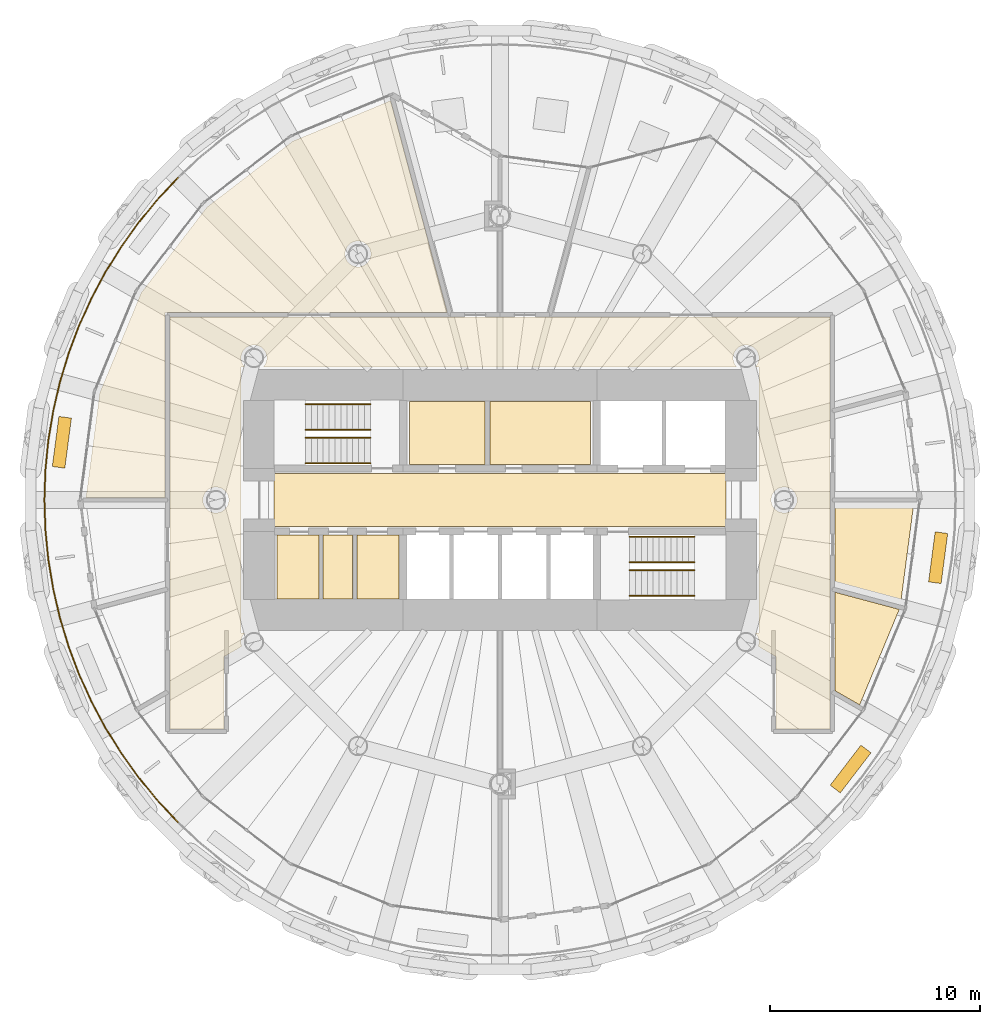
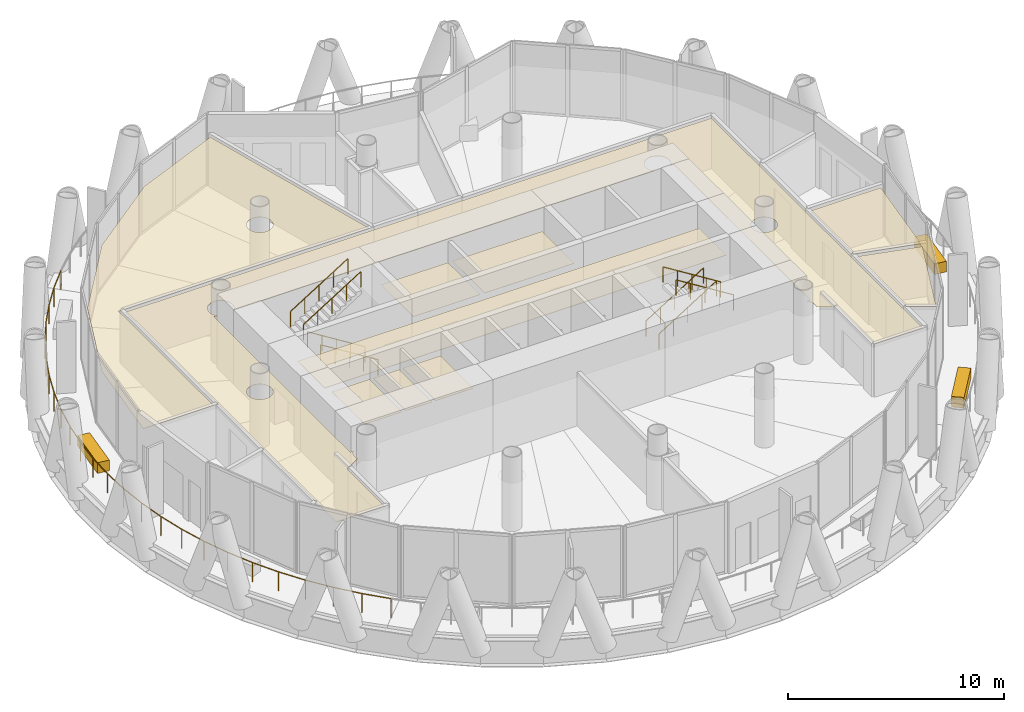
# One storey, part 13 of 14: 13 coverings, 9 railings.
"""IFC4 building model written with IfcOpenShell, lengths in metres."""

from ifc_helpers import new_model, si_unit, direction, frame, origin, origin_2d, place, context, subcontext, project, spatial, polyline, rectangle, circle, outline, extrude, material, layer, layer_set, type_object, element, save


model = new_model("IFC4")

# Units and contexts
model_context = context("Model", 3, precision=1e-05, world=origin(), true_north=direction((0.0, 1.0)))
body_context = subcontext(model_context, "Body", "Model", "MODEL_VIEW")
ifc_project = project(units=[si_unit("LENGTHUNIT", "METRE"), si_unit("AREAUNIT", "SQUARE_METRE"), si_unit("VOLUMEUNIT", "CUBIC_METRE"), si_unit("PLANEANGLEUNIT", "RADIAN"), si_unit("MASSUNIT", "GRAM", prefix="KILO")], contexts=[model_context])

# Site, building, storey
site_placement = place(None, origin())
site = spatial("IfcSite", under=ifc_project, at=site_placement, CompositionType="ELEMENT")
building_placement = place(site_placement, origin())
building = spatial("IfcBuilding", under=site, at=building_placement, Name="Qaws Media Tower", CompositionType="ELEMENT")
storey_placement = place(building_placement, frame((0.0, 0.0, 248.60009765625)))
storey = spatial("IfcBuildingStorey", under=building, at=storey_placement, Name="L57", CompositionType="ELEMENT", Elevation=248.60009765625)

# Railing
ifc_material_1 = material(Name="Stainless steel and glass guard", Category="steel")
railing_type_1 = type_object("IfcRailingType", Name="Balcony guard 1100", PredefinedType="GUARDRAIL", material=ifc_material_1)
railing_placement = place(storey_placement, frame((44.691162109375, 65.308837890625, 0.0)))
element("IfcRailing", 1, at=railing_placement, inside=storey, type_object=railing_type_1, Name="GR1 balcony guard L57-2", PredefinedType="GUARDRAIL", context=body_context, shape_type="SweptSolid", body=[
    extrude(circle(Radius=0.02392578125, at=origin_2d()), frame((0.0, 0.0, 1.076171875), z_axis=(-0.683637251017, -0.729821970773, 0.0), x_axis=(0.729821970773, -0.683637251017, 0.0)), (0.0, 0.0, 1.0), 1.416748046875),
    extrude(circle(Radius=0.02392578125, at=origin_2d()), frame((-0.968505859375, -1.033935546875, 1.076171875), z_axis=(-0.634335096851, -0.773058202791, 0.0), x_axis=(0.773058202791, -0.634335096851, 0.0)), (0.0, 0.0, 1.0), 1.416748046875),
    extrude(circle(Radius=0.02392578125, at=origin_2d()), frame((-1.8671875, -2.129150390625, 1.076171875), z_axis=(-0.582460117111, -0.812859281779, 0.0), x_axis=(0.812859281779, -0.582460117111, 0.0)), (0.0, 0.0, 1.0), 1.416748046875),
    extrude(circle(Radius=0.02392578125, at=origin_2d()), frame((-2.6923828125, -3.28076171875, 1.076171875), z_axis=(-0.528139011026, -0.849157927027, 0.0), x_axis=(0.849157927027, -0.528139011026, 0.0)), (0.0, 0.0, 1.0), 1.416748046875),
    extrude(circle(Radius=0.02392578125, at=origin_2d()), frame((-3.440673828125, -4.48388671875, 1.076171875), z_axis=(-0.471312562869, -0.881966251101, 0.0), x_axis=(0.881966251101, -0.471312562869, 0.0)), (0.0, 0.0, 1.0), 1.416748046875),
    extrude(circle(Radius=0.02392578125, at=origin_2d()), frame((-4.1083984375, -5.7333984375, 1.076171875), z_axis=(-0.412763889134, -0.910838060155, 0.0), x_axis=(0.910838060155, -0.412763889134, 0.0)), (0.0, 0.0, 1.0), 1.41650390625),
    extrude(circle(Radius=0.02392578125, at=origin_2d()), frame((-4.693115234375, -7.023681640625, 1.076171875), z_axis=(-0.352237420133, -0.935910679423, 0.0), x_axis=(0.935910679423, -0.352237420133, 0.0)), (0.0, 0.0, 1.0), 1.416748046875),
    extrude(circle(Radius=0.02392578125, at=origin_2d()), frame((-5.192138671875, -8.349609375, 1.076171875), z_axis=(-0.290366081479, -0.95691563825, 0.0), x_axis=(0.95691563825, -0.290366081479, 0.0)), (0.0, 0.0, 1.0), 1.416748046875),
    extrude(circle(Radius=0.02392578125, at=origin_2d()), frame((-5.603515625, -9.705322265625, 1.076171875), z_axis=(-0.22693545759, -0.97390979977, 0.0), x_axis=(0.97390979977, -0.22693545759, 0.0)), (0.0, 0.0, 1.0), 1.416748046875),
    extrude(circle(Radius=0.02392578125, at=origin_2d()), frame((-5.925048828125, -11.085205078125, 1.076171875), z_axis=(-0.163029459674, -0.986621201515, 0.0), x_axis=(0.986621201515, -0.163029459674, 0.0)), (0.0, 0.0, 1.0), 1.416748046875),
    extrude(circle(Radius=0.02392578125, at=origin_2d()), frame((-6.156005859375, -12.48291015625, 1.076171875), z_axis=(-0.098053347187, -0.995181159943, 0.0), x_axis=(0.995181159943, -0.098053347187, 0.0)), (0.0, 0.0, 1.0), 1.416748046875),
    extrude(circle(Radius=0.02392578125, at=origin_2d()), frame((-6.294921875, -13.892822265625, 1.076171875), z_axis=(-0.032568919654, -0.999469492017, 0.0), x_axis=(0.999469492017, -0.032568919654, 0.0)), (0.0, 0.0, 1.0), 1.416748046875),
    extrude(circle(Radius=0.02392578125, at=origin_2d()), frame((-6.341064453125, -15.308837890625, 1.076171875), z_axis=(0.032568919654, -0.999469492017, 0.0), x_axis=(0.999469492017, 0.032568919654, 0.0)), (0.0, 0.0, 1.0), 1.416748046875),
    extrude(circle(Radius=0.02392578125, at=origin_2d()), frame((-6.294921875, -16.724853515625, 1.076171875), z_axis=(0.098053347187, -0.995181159943, 0.0), x_axis=(0.995181159943, 0.098053347187, 0.0)), (0.0, 0.0, 1.0), 1.416748046875),
    extrude(circle(Radius=0.02392578125, at=origin_2d()), frame((-6.156005859375, -18.134765625, 1.076171875), z_axis=(0.163029459674, -0.986621201515, 0.0), x_axis=(0.986621201515, 0.163029459674, 0.0)), (0.0, 0.0, 1.0), 1.416748046875),
    extrude(circle(Radius=0.02392578125, at=origin_2d()), frame((-5.925048828125, -19.532470703125, 1.076171875), z_axis=(0.22693545759, -0.97390979977, 0.0), x_axis=(0.97390979977, 0.22693545759, 0.0)), (0.0, 0.0, 1.0), 1.416748046875),
    extrude(circle(Radius=0.02392578125, at=origin_2d()), frame((-5.603515625, -20.912353515625, 1.076171875), z_axis=(0.290366081479, -0.95691563825, 0.0), x_axis=(0.95691563825, 0.290366081479, 0.0)), (0.0, 0.0, 1.0), 1.416748046875),
    extrude(circle(Radius=0.02392578125, at=origin_2d()), frame((-5.192138671875, -22.26806640625, 1.076171875), z_axis=(0.352237420133, -0.935910679423, 0.0), x_axis=(0.935910679423, 0.352237420133, 0.0)), (0.0, 0.0, 1.0), 1.416748046875),
    extrude(circle(Radius=0.02392578125, at=origin_2d()), frame((-4.693115234375, -23.593994140625, 1.076171875), z_axis=(0.412763889134, -0.910838060155, 0.0), x_axis=(0.910838060155, 0.412763889134, 0.0)), (0.0, 0.0, 1.0), 1.41650390625),
    extrude(circle(Radius=0.02392578125, at=origin_2d()), frame((-4.1083984375, -24.88427734375, 1.076171875), z_axis=(0.471312562869, -0.881966251101, 0.0), x_axis=(0.881966251101, 0.471312562869, 0.0)), (0.0, 0.0, 1.0), 1.416748046875),
    extrude(circle(Radius=0.02392578125, at=origin_2d()), frame((-3.440673828125, -26.1337890625, 1.076171875), z_axis=(0.528139011026, -0.849157927027, 0.0), x_axis=(0.849157927027, 0.528139011026, 0.0)), (0.0, 0.0, 1.0), 1.416748046875),
    extrude(circle(Radius=0.02392578125, at=origin_2d()), frame((-2.6923828125, -27.3369140625, 1.076171875), z_axis=(0.582460117111, -0.812859281779, 0.0), x_axis=(0.812859281779, 0.582460117111, 0.0)), (0.0, 0.0, 1.0), 1.416748046875),
    extrude(circle(Radius=0.02392578125, at=origin_2d()), frame((-1.8671875, -28.488525390625, 1.076171875), z_axis=(0.634335096851, -0.773058202791, 0.0), x_axis=(0.773058202791, 0.634335096851, 0.0)), (0.0, 0.0, 1.0), 1.416748046875),
    extrude(circle(Radius=0.02392578125, at=origin_2d()), frame((-0.968505859375, -29.583740234375, 1.076171875), z_axis=(0.683637251017, -0.729821970773, 0.0), x_axis=(0.729821970773, 0.683637251017, 0.0)), (0.0, 0.0, 1.0), 1.416748046875),
    extrude(circle(Radius=0.02099609375, at=origin_2d()), origin(), (0.0, 0.0, 1.0), 1.052001953125),
    extrude(circle(Radius=0.02099609375, at=origin_2d()), frame((-0.968505859375, -1.033935546875, 0.0)), (0.0, 0.0, 1.0), 1.052001953125),
    extrude(circle(Radius=0.02099609375, at=origin_2d()), frame((-1.8671875, -2.129150390625, 0.0)), (0.0, 0.0, 1.0), 1.052001953125),
    extrude(circle(Radius=0.02099609375, at=origin_2d()), frame((-2.6923828125, -3.28076171875, 0.0)), (0.0, 0.0, 1.0), 1.052001953125),
    extrude(circle(Radius=0.02099609375, at=origin_2d()), frame((-3.440673828125, -4.48388671875, 0.0)), (0.0, 0.0, 1.0), 1.052001953125),
    extrude(circle(Radius=0.02099609375, at=origin_2d()), frame((-4.1083984375, -5.7333984375, 0.0)), (0.0, 0.0, 1.0), 1.052001953125),
    extrude(circle(Radius=0.02099609375, at=origin_2d()), frame((-4.693115234375, -7.023681640625, 0.0)), (0.0, 0.0, 1.0), 1.052001953125),
    extrude(circle(Radius=0.02099609375, at=origin_2d()), frame((-5.192138671875, -8.349609375, 0.0)), (0.0, 0.0, 1.0), 1.052001953125),
    extrude(circle(Radius=0.02099609375, at=origin_2d()), frame((-5.603515625, -9.705322265625, 0.0)), (0.0, 0.0, 1.0), 1.052001953125),
    extrude(circle(Radius=0.02099609375, at=origin_2d()), frame((-5.925048828125, -11.085205078125, 0.0)), (0.0, 0.0, 1.0), 1.052001953125),
    extrude(circle(Radius=0.02099609375, at=origin_2d()), frame((-6.156005859375, -12.48291015625, 0.0)), (0.0, 0.0, 1.0), 1.052001953125),
    extrude(circle(Radius=0.02099609375, at=origin_2d()), frame((-6.294921875, -13.892822265625, 0.0)), (0.0, 0.0, 1.0), 1.052001953125),
    extrude(circle(Radius=0.02099609375, at=origin_2d()), frame((-6.341064453125, -15.308837890625, 0.0)), (0.0, 0.0, 1.0), 1.052001953125),
    extrude(circle(Radius=0.02099609375, at=origin_2d()), frame((-6.294921875, -16.724853515625, 0.0)), (0.0, 0.0, 1.0), 1.052001953125),
    extrude(circle(Radius=0.02099609375, at=origin_2d()), frame((-6.156005859375, -18.134765625, 0.0)), (0.0, 0.0, 1.0), 1.052001953125),
    extrude(circle(Radius=0.02099609375, at=origin_2d()), frame((-5.925048828125, -19.532470703125, 0.0)), (0.0, 0.0, 1.0), 1.052001953125),
    extrude(circle(Radius=0.02099609375, at=origin_2d()), frame((-5.603515625, -20.912353515625, 0.0)), (0.0, 0.0, 1.0), 1.052001953125),
    extrude(circle(Radius=0.02099609375, at=origin_2d()), frame((-5.192138671875, -22.26806640625, 0.0)), (0.0, 0.0, 1.0), 1.052001953125),
    extrude(circle(Radius=0.02099609375, at=origin_2d()), frame((-4.693115234375, -23.593994140625, 0.0)), (0.0, 0.0, 1.0), 1.052001953125),
    extrude(circle(Radius=0.02099609375, at=origin_2d()), frame((-4.1083984375, -24.88427734375, 0.0)), (0.0, 0.0, 1.0), 1.052001953125),
    extrude(circle(Radius=0.02099609375, at=origin_2d()), frame((-3.440673828125, -26.1337890625, 0.0)), (0.0, 0.0, 1.0), 1.052001953125),
    extrude(circle(Radius=0.02099609375, at=origin_2d()), frame((-2.6923828125, -27.3369140625, 0.0)), (0.0, 0.0, 1.0), 1.052001953125),
    extrude(circle(Radius=0.02099609375, at=origin_2d()), frame((-1.8671875, -28.488525390625, 0.0)), (0.0, 0.0, 1.0), 1.052001953125),
    extrude(circle(Radius=0.02099609375, at=origin_2d()), frame((-0.968505859375, -29.583740234375, 0.0)), (0.0, 0.0, 1.0), 1.052001953125),
    extrude(circle(Radius=0.02099609375, at=origin_2d()), frame((0.0, -30.61767578125, 0.0)), (0.0, 0.0, 1.0), 1.052001953125),
])

# Coverings
ifc_material_2 = material(Name="600 x 600 mineral fibre tiles in exposed grid, suspended", Category="mineral fibre")
ifc_layer_1 = layer(ifc_material_2, 0.02001953125)
ifc_layer_set_1 = layer_set([ifc_layer_1], Name="Mineral fibre tile ceiling 20")
covering_type_1 = type_object("IfcCoveringType", Name="Mineral fibre tile ceiling 20", PredefinedType="CEILING", material=ifc_layer_set_1)
covering_1_placement = place(storey_placement, frame((0.0, 0.0, 2.849853515625)))
element("IfcCovering", 2, at=covering_1_placement, inside=storey, type_object=covering_type_1, Name="CL1 ceiling L57-C07 Gents toilets", PredefinedType="CEILING", context=body_context, shape_type="SweptSolid", body=[
    extrude(outline(polyline([(55.695068359375, 51.695068359375), (55.695068359375, 54.679931640625), (59.276611328125, 54.679931640625), (59.276611328125, 51.695068359375), (55.695068359375, 51.695068359375)])), origin(), (0.0, 0.0, 1.0), 0.02001953125),
])
covering_2_placement = place(storey_placement, frame((0.0, 0.0, 2.849853515625)))
element("IfcCovering", 3, at=covering_2_placement, inside=storey, type_object=covering_type_1, Name="CL1 ceiling L57-C08 Ladies toilets", PredefinedType="CEILING", context=body_context, shape_type="SweptSolid", body=[
    extrude(outline(polyline([(59.5166015625, 51.695068359375), (59.5166015625, 54.679931640625), (64.304931640625, 54.679931640625), (64.304931640625, 51.695068359375), (59.5166015625, 51.695068359375)])), origin(), (0.0, 0.0, 1.0), 0.02001953125),
])
covering_3_placement = place(storey_placement, frame((0.0, 0.0, 2.849853515625)))
element("IfcCovering", 4, at=covering_3_placement, inside=storey, type_object=covering_type_1, Name="CL1 ceiling L57-01 Corridor", PredefinedType="CEILING", context=body_context, shape_type="SweptSolid", body=[
    extrude(outline(polyline([(44.3125, 39.112548828125), (44.3125, 58.6875), (75.6875, 58.6875), (75.6875, 39.112548828125), (73.112548828125, 39.112548828125), (73.112548828125, 42.559326171875), (72.27197265625, 43.044921875), (72.287353515625, 43.09033203125), (72.302978515625, 43.16943359375), (72.308349609375, 43.25), (72.302978515625, 43.33056640625), (72.287353515625, 43.40966796875), (72.261474609375, 43.486083984375), (72.2255859375, 43.55859375), (72.180908203125, 43.62548828125), (72.126220703125, 43.6875), (72.3125, 43.6875), (72.3125, 56.3125), (72.126220703125, 56.3125), (72.180908203125, 56.37451171875), (72.2255859375, 56.44140625), (72.261474609375, 56.513916015625), (72.287353515625, 56.59033203125), (72.302978515625, 56.66943359375), (72.308349609375, 56.75), (72.302978515625, 56.83056640625), (72.287353515625, 56.90966796875), (72.261474609375, 56.986083984375), (72.2255859375, 57.05859375), (72.180908203125, 57.12548828125), (72.127685546875, 57.186279296875), (72.06689453125, 57.239501953125), (71.999755859375, 57.2841796875), (71.927490234375, 57.320068359375), (71.85107421875, 57.345947265625), (71.77197265625, 57.36181640625), (71.69140625, 57.366943359375), (71.61083984375, 57.36181640625), (71.53173828125, 57.345947265625), (71.455078125, 57.320068359375), (71.3828125, 57.2841796875), (71.315673828125, 57.239501953125), (71.255126953125, 57.186279296875), (71.201904296875, 57.12548828125), (71.156982421875, 57.05859375), (71.121337890625, 56.986083984375), (71.095458984375, 56.90966796875), (71.07958984375, 56.83056640625), (71.07421875, 56.75), (71.07958984375, 56.66943359375), (71.095458984375, 56.59033203125), (71.121337890625, 56.513916015625), (71.156982421875, 56.44140625), (71.201904296875, 56.37451171875), (71.25634765625, 56.3125), (48.74365234375, 56.3125), (48.798095703125, 56.37451171875), (48.843017578125, 56.44140625), (48.878662109375, 56.513916015625), (48.904541015625, 56.59033203125), (48.92041015625, 56.66943359375), (48.92578125, 56.75), (48.92041015625, 56.83056640625), (48.904541015625, 56.90966796875), (48.878662109375, 56.986083984375), (48.843017578125, 57.05859375), (48.798095703125, 57.12548828125), (48.744873046875, 57.186279296875), (48.684326171875, 57.239501953125), (48.6171875, 57.2841796875), (48.544921875, 57.320068359375), (48.46826171875, 57.345947265625), (48.38916015625, 57.36181640625), (48.30859375, 57.366943359375), (48.22802734375, 57.36181640625), (48.14892578125, 57.345947265625), (48.072509765625, 57.320068359375), (48.000244140625, 57.2841796875), (47.93310546875, 57.239501953125), (47.872314453125, 57.186279296875), (47.819091796875, 57.12548828125), (47.7744140625, 57.05859375), (47.738525390625, 56.986083984375), (47.712646484375, 56.90966796875), (47.697021484375, 56.83056640625), (47.691650390625, 56.75), (47.697021484375, 56.66943359375), (47.712646484375, 56.59033203125), (47.738525390625, 56.513916015625), (47.7744140625, 56.44140625), (47.819091796875, 56.37451171875), (47.873779296875, 56.3125), (47.6875, 56.3125), (47.6875, 43.6875), (47.873779296875, 43.6875), (47.819091796875, 43.62548828125), (47.7744140625, 43.55859375), (47.738525390625, 43.486083984375), (47.712646484375, 43.40966796875), (47.697021484375, 43.33056640625), (47.691650390625, 43.25), (47.697021484375, 43.16943359375), (47.712646484375, 43.09033203125), (47.72802734375, 43.044921875), (46.887451171875, 42.559326171875), (46.887451171875, 39.112548828125), (44.3125, 39.112548828125)]), holes=[polyline([(47.070068359375, 49.763916015625), (47.095947265625, 49.84033203125), (47.11181640625, 49.91943359375), (47.116943359375, 50.0), (47.11181640625, 50.08056640625), (47.095947265625, 50.15966796875), (47.070068359375, 50.236083984375), (47.0341796875, 50.30859375), (46.989501953125, 50.37548828125), (46.936279296875, 50.436279296875), (46.87548828125, 50.489501953125), (46.80859375, 50.5341796875), (46.736083984375, 50.570068359375), (46.65966796875, 50.595947265625), (46.58056640625, 50.61181640625), (46.5, 50.616943359375), (46.41943359375, 50.61181640625), (46.34033203125, 50.595947265625), (46.263916015625, 50.570068359375), (46.19140625, 50.5341796875), (46.12451171875, 50.489501953125), (46.063720703125, 50.436279296875), (46.010498046875, 50.37548828125), (45.9658203125, 50.30859375), (45.929931640625, 50.236083984375), (45.904052734375, 50.15966796875), (45.88818359375, 50.08056640625), (45.883056640625, 50.0), (45.88818359375, 49.91943359375), (45.904052734375, 49.84033203125), (45.929931640625, 49.763916015625), (45.9658203125, 49.69140625), (46.010498046875, 49.62451171875), (46.063720703125, 49.563720703125), (46.12451171875, 49.510498046875), (46.19140625, 49.4658203125), (46.263916015625, 49.429931640625), (46.34033203125, 49.404052734375), (46.41943359375, 49.38818359375), (46.5, 49.383056640625), (46.58056640625, 49.38818359375), (46.65966796875, 49.404052734375), (46.736083984375, 49.429931640625), (46.80859375, 49.4658203125), (46.87548828125, 49.510498046875), (46.936279296875, 49.563720703125), (46.989501953125, 49.62451171875), (47.0341796875, 49.69140625), (47.070068359375, 49.763916015625)]), polyline([(74.095947265625, 49.84033203125), (74.11181640625, 49.91943359375), (74.116943359375, 50.0), (74.11181640625, 50.08056640625), (74.095947265625, 50.15966796875), (74.070068359375, 50.236083984375), (74.0341796875, 50.30859375), (73.989501953125, 50.37548828125), (73.936279296875, 50.436279296875), (73.87548828125, 50.489501953125), (73.80859375, 50.5341796875), (73.736083984375, 50.570068359375), (73.65966796875, 50.595947265625), (73.58056640625, 50.61181640625), (73.5, 50.616943359375), (73.41943359375, 50.61181640625), (73.34033203125, 50.595947265625), (73.263916015625, 50.570068359375), (73.19140625, 50.5341796875), (73.12451171875, 50.489501953125), (73.063720703125, 50.436279296875), (73.010498046875, 50.37548828125), (72.9658203125, 50.30859375), (72.929931640625, 50.236083984375), (72.904052734375, 50.15966796875), (72.88818359375, 50.08056640625), (72.883056640625, 50.0), (72.88818359375, 49.91943359375), (72.904052734375, 49.84033203125), (72.929931640625, 49.763916015625), (72.9658203125, 49.69140625), (73.010498046875, 49.62451171875), (73.063720703125, 49.563720703125), (73.12451171875, 49.510498046875), (73.19140625, 49.4658203125), (73.263916015625, 49.429931640625), (73.34033203125, 49.404052734375), (73.41943359375, 49.38818359375), (73.5, 49.383056640625), (73.58056640625, 49.38818359375), (73.65966796875, 49.404052734375), (73.736083984375, 49.429931640625), (73.80859375, 49.4658203125), (73.87548828125, 49.510498046875), (73.936279296875, 49.563720703125), (73.989501953125, 49.62451171875), (74.0341796875, 49.69140625), (74.070068359375, 49.763916015625), (74.095947265625, 49.84033203125)])]), origin(), (0.0, 0.0, 1.0), 0.02001953125),
])
covering_4_placement = place(storey_placement, frame((0.0, 0.0, 2.849853515625)))
element("IfcCovering", 5, at=covering_4_placement, inside=storey, type_object=covering_type_1, Name="CL1 ceiling L57-06 Tenant office", PredefinedType="CEILING", context=body_context, shape_type="SweptSolid", body=[
    extrude(outline(polyline([(40.985595703125, 55.094970703125), (42.9521484375, 59.842529296875), (46.080322265625, 63.919677734375), (50.157470703125, 67.0478515625), (54.80029296875, 68.97119140625), (57.495361328125, 58.91259765625), (44.08740234375, 58.91259765625), (44.08740234375, 50.112548828125), (40.32958984375, 50.112548828125), (40.985595703125, 55.094970703125)]), holes=[polyline([(53.820068359375, 61.455078125), (53.845947265625, 61.53173828125), (53.86181640625, 61.61083984375), (53.866943359375, 61.69140625), (53.86181640625, 61.77197265625), (53.845947265625, 61.85107421875), (53.820068359375, 61.927490234375), (53.7841796875, 61.999755859375), (53.739501953125, 62.06689453125), (53.686279296875, 62.127685546875), (53.62548828125, 62.180908203125), (53.55859375, 62.2255859375), (53.486083984375, 62.261474609375), (53.40966796875, 62.287353515625), (53.33056640625, 62.302978515625), (53.25, 62.308349609375), (53.16943359375, 62.302978515625), (53.09033203125, 62.287353515625), (53.013916015625, 62.261474609375), (52.94140625, 62.2255859375), (52.87451171875, 62.180908203125), (52.813720703125, 62.127685546875), (52.760498046875, 62.06689453125), (52.7158203125, 61.999755859375), (52.679931640625, 61.927490234375), (52.654052734375, 61.85107421875), (52.63818359375, 61.77197265625), (52.633056640625, 61.69140625), (52.63818359375, 61.61083984375), (52.654052734375, 61.53173828125), (52.679931640625, 61.455078125), (52.7158203125, 61.3828125), (52.760498046875, 61.315673828125), (52.813720703125, 61.255126953125), (52.87451171875, 61.201904296875), (52.94140625, 61.156982421875), (53.013916015625, 61.121337890625), (53.09033203125, 61.095458984375), (53.16943359375, 61.07958984375), (53.25, 61.07421875), (53.33056640625, 61.07958984375), (53.40966796875, 61.095458984375), (53.486083984375, 61.121337890625), (53.55859375, 61.156982421875), (53.62548828125, 61.201904296875), (53.686279296875, 61.255126953125), (53.739501953125, 61.315673828125), (53.7841796875, 61.3828125), (53.820068359375, 61.455078125)])]), origin(), (0.0, 0.0, 1.0), 0.02001953125),
])
covering_5_placement = place(storey_placement, frame((0.0, 0.0, 2.849853515625)))
element("IfcCovering", 6, at=covering_5_placement, inside=storey, type_object=covering_type_1, Name="CL1 ceiling L57-C04 Shower room", PredefinedType="CEILING", context=body_context, shape_type="SweptSolid", body=[
    extrude(outline(polyline([(49.39990234375, 45.300048828125), (49.39990234375, 48.324951171875), (51.39990234375, 48.324951171875), (51.39990234375, 45.300048828125), (49.39990234375, 45.300048828125)])), origin(), (0.0, 0.0, 1.0), 0.02001953125),
])
covering_6_placement = place(storey_placement, frame((0.0, 0.0, 2.849853515625)))
element("IfcCovering", 7, at=covering_6_placement, inside=storey, type_object=covering_type_1, Name="CL1 ceiling L57-C05 First aid room", PredefinedType="CEILING", context=body_context, shape_type="SweptSolid", body=[
    extrude(outline(polyline([(51.60009765625, 45.300048828125), (51.60009765625, 48.324951171875), (53.0, 48.324951171875), (53.0, 45.300048828125), (51.60009765625, 45.300048828125)])), origin(), (0.0, 0.0, 1.0), 0.02001953125),
])
ifc_material_3 = material(Name="Precast concrete planter with trailing planting", Category="concrete")
ifc_layer_2 = layer(ifc_material_3, 0.60009765625)
ifc_layer_set_2 = layer_set([ifc_layer_2], Name="Planter 2400x600")
covering_type_2 = type_object("IfcCoveringType", Name="Planter 2400x600", PredefinedType="USERDEFINED", material=ifc_layer_set_2)
for number, where, z_axis, x_axis, name in (
    (8, (39.1796875, 52.740966796875, -0.000244140625), (0.0, 0.0, 1.0), (-0.13052619222, -0.991444861374, 0.0), "PL1 balcony planter L57-06"),
    (9, (76.660400390625, 37.216064453125, -0.000244140625), (0.0, 0.0, 1.0), (0.608761429009, 0.793353340291, 0.0), "PL1 balcony planter L57-11"),
    (10, (80.8203125, 47.259033203125, -0.000244140625), (0.0, 0.0, 1.0), (0.13052619222, 0.991444861374, 0.0), "PL1 balcony planter L57-12"),
):
    element("IfcCovering", number, at=place(storey_placement, frame(where, z_axis=z_axis, x_axis=x_axis)), inside=storey, type_object=covering_type_2, Name=name, ObjectType="PLANTER", PredefinedType="USERDEFINED", context=body_context, shape_type="SweptSolid", body=[
        extrude(rectangle(XDim=2.39990234375, YDim=0.60009765625, at=origin_2d()), origin(), (0.0, 0.0, 1.0), 0.60009765625),
    ])
ifc_material_4 = material(Name="Two layers 12.5 moisture-resistant plasterboard on suspended metal furring", Category="gypsum")
ifc_layer_3 = layer(ifc_material_4, 0.02490234375)
ifc_layer_set_3 = layer_set([ifc_layer_3], Name="Plasterboard ceiling 25")
covering_type_3 = type_object("IfcCoveringType", Name="Plasterboard ceiling 25", PredefinedType="CEILING", material=ifc_layer_set_3)
covering_7_placement = place(storey_placement, frame((0.0, 0.0, 2.849853515625)))
element("IfcCovering", 11, at=covering_7_placement, inside=storey, type_object=covering_type_3, Name="CL2 ceiling L57-C01 Lift lobby", PredefinedType="CEILING", context=body_context, shape_type="SweptSolid", body=[
    extrude(outline(polyline([(49.25, 48.75), (49.25, 51.25), (70.75, 51.25), (70.75, 48.75), (49.25, 48.75)])), origin(), (0.0, 0.0, 1.0), 0.025146484375),
])
covering_8_placement = place(storey_placement, frame((0.0, 0.0, 2.849853515625)))
element("IfcCovering", 12, at=covering_8_placement, inside=storey, type_object=covering_type_3, Name="CL2 ceiling L57-11 Tenant reception", PredefinedType="CEILING", context=body_context, shape_type="SweptSolid", body=[
    extrude(outline(polyline([(77.09130859375, 40.26220703125), (75.91259765625, 40.94287109375), (75.91259765625, 45.619873046875), (78.97119140625, 44.80029296875), (77.09130859375, 40.26220703125)])), origin(), (0.0, 0.0, 1.0), 0.025146484375),
])
covering_9_placement = place(storey_placement, frame((0.0, 0.0, 2.849853515625)))
element("IfcCovering", 13, at=covering_9_placement, inside=storey, type_object=covering_type_3, Name="CL2 ceiling L57-12 Tenant pantry", PredefinedType="CEILING", context=body_context, shape_type="SweptSolid", body=[
    extrude(outline(polyline([(79.029296875, 45.017578125), (75.91259765625, 45.852783203125), (75.91259765625, 49.887451171875), (79.67041015625, 49.887451171875), (79.029296875, 45.017578125)])), origin(), (0.0, 0.0, 1.0), 0.025146484375),
])
covering_10_placement = place(storey_placement, frame((0.0, 0.0, 2.849853515625)))
element("IfcCovering", 14, at=covering_10_placement, inside=storey, type_object=covering_type_3, Name="CL2 ceiling L57-C06 Accessible WC", PredefinedType="CEILING", context=body_context, shape_type="SweptSolid", body=[
    extrude(outline(polyline([(53.199951171875, 45.300048828125), (53.199951171875, 48.324951171875), (55.199951171875, 48.324951171875), (55.199951171875, 45.300048828125), (53.199951171875, 45.300048828125)])), origin(), (0.0, 0.0, 1.0), 0.025146484375),
])

# Railings
ifc_material_5 = material(Name="Steel tube handrail", Category="steel")
railing_type_2 = type_object("IfcRailingType", Name="Stair handrail 900", PredefinedType="HANDRAIL", material=ifc_material_5)
for number, where, name in (
    (15, (53.840087890625, 51.75, 0.1748046875), "HR1 handrail S1 flight 1 L57"),
    (16, (53.840087890625, 52.9599609375, 0.1748046875), "HR1 handrail S1 flight 1 L57"),
):
    element("IfcRailing", number, at=place(storey_placement, frame(where)), inside=storey, type_object=railing_type_2, Name=name, PredefinedType="HANDRAIL", context=body_context, shape_type="SweptSolid", body=[
        extrude(circle(Radius=0.02392578125, at=origin_2d()), frame((0.0, 0.0, 0.8759765625), z_axis=(-0.847998304005, 0.0, 0.529998940003), x_axis=(0.0, -1.0, 0.0)), (0.0, 0.0, 1.0), 3.632080078125),
        extrude(circle(Radius=0.02099609375, at=origin_2d()), origin(), (0.0, 0.0, 1.0), 0.851806640625),
        extrude(circle(Radius=0.02099609375, at=origin_2d()), frame((-0.77001953125, 0.0, 0.481201171875)), (0.0, 0.0, 1.0), 0.851806640625),
        extrude(circle(Radius=0.02099609375, at=origin_2d()), frame((-1.5400390625, 0.0, 0.96240234375)), (0.0, 0.0, 1.0), 0.851806640625),
        extrude(circle(Radius=0.02099609375, at=origin_2d()), frame((-2.31005859375, 0.0, 1.44384765625)), (0.0, 0.0, 1.0), 0.851806640625),
        extrude(circle(Radius=0.02099609375, at=origin_2d()), frame((-3.080078125, 0.0, 1.925048828125)), (0.0, 0.0, 1.0), 0.851806640625),
    ])
for number, where, name in (
    (17, (50.760009765625, 54.550048828125, 2.27490234375), "HR1 handrail S1 flight 2 L57"),
    (18, (50.760009765625, 53.340087890625, 2.27490234375), "HR1 handrail S1 flight 2 L57"),
    (19, (66.159912109375, 48.25, 0.1748046875), "HR1 handrail S2 flight 1 L57"),
    (20, (66.159912109375, 47.0400390625, 0.1748046875), "HR1 handrail S2 flight 1 L57"),
):
    element("IfcRailing", number, at=place(storey_placement, frame(where)), inside=storey, type_object=railing_type_2, Name=name, PredefinedType="HANDRAIL", context=body_context, shape_type="SweptSolid", body=[
        extrude(circle(Radius=0.02392578125, at=origin_2d()), frame((0.0, 0.0, 0.8759765625), z_axis=(0.847998304005, 0.0, 0.529998940003), x_axis=(0.0, 1.0, 0.0)), (0.0, 0.0, 1.0), 3.632080078125),
        extrude(circle(Radius=0.02099609375, at=origin_2d()), origin(), (0.0, 0.0, 1.0), 0.851806640625),
        extrude(circle(Radius=0.02099609375, at=origin_2d()), frame((0.77001953125, 0.0, 0.481201171875)), (0.0, 0.0, 1.0), 0.851806640625),
        extrude(circle(Radius=0.02099609375, at=origin_2d()), frame((1.5400390625, 0.0, 0.96240234375)), (0.0, 0.0, 1.0), 0.851806640625),
        extrude(circle(Radius=0.02099609375, at=origin_2d()), frame((2.31005859375, 0.0, 1.44384765625)), (0.0, 0.0, 1.0), 0.851806640625),
        extrude(circle(Radius=0.02099609375, at=origin_2d()), frame((3.080078125, 0.0, 1.925048828125)), (0.0, 0.0, 1.0), 0.851806640625),
    ])
for number, where, name in (
    (21, (69.239990234375, 45.449951171875, 2.27490234375), "HR1 handrail S2 flight 2 L57"),
    (22, (69.239990234375, 46.659912109375, 2.27490234375), "HR1 handrail S2 flight 2 L57"),
):
    element("IfcRailing", number, at=place(storey_placement, frame(where)), inside=storey, type_object=railing_type_2, Name=name, PredefinedType="HANDRAIL", context=body_context, shape_type="SweptSolid", body=[
        extrude(circle(Radius=0.02392578125, at=origin_2d()), frame((0.0, 0.0, 0.8759765625), z_axis=(-0.847998304005, 0.0, 0.529998940003), x_axis=(0.0, -1.0, 0.0)), (0.0, 0.0, 1.0), 3.632080078125),
        extrude(circle(Radius=0.02099609375, at=origin_2d()), origin(), (0.0, 0.0, 1.0), 0.851806640625),
        extrude(circle(Radius=0.02099609375, at=origin_2d()), frame((-0.77001953125, 0.0, 0.481201171875)), (0.0, 0.0, 1.0), 0.851806640625),
        extrude(circle(Radius=0.02099609375, at=origin_2d()), frame((-1.5400390625, 0.0, 0.96240234375)), (0.0, 0.0, 1.0), 0.851806640625),
        extrude(circle(Radius=0.02099609375, at=origin_2d()), frame((-2.31005859375, 0.0, 1.44384765625)), (0.0, 0.0, 1.0), 0.851806640625),
        extrude(circle(Radius=0.02099609375, at=origin_2d()), frame((-3.080078125, 0.0, 1.925048828125)), (0.0, 0.0, 1.0), 0.851806640625),
    ])

save(model, "model.ifc")
